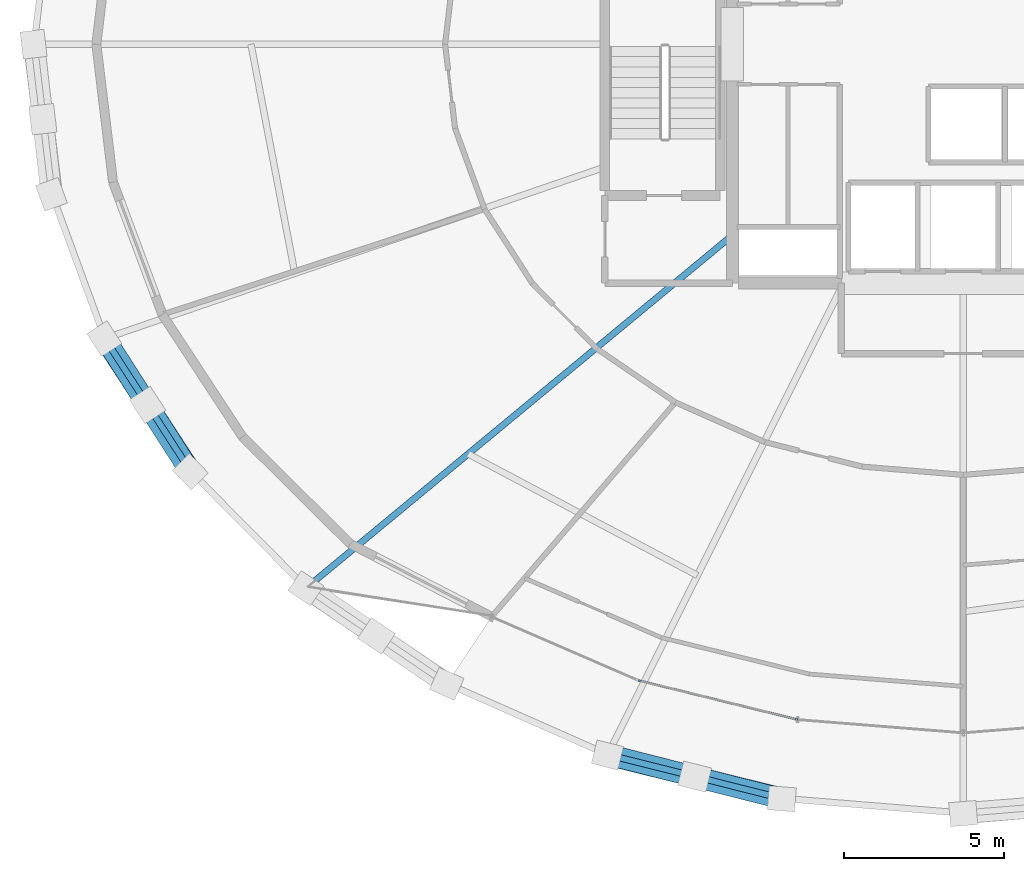
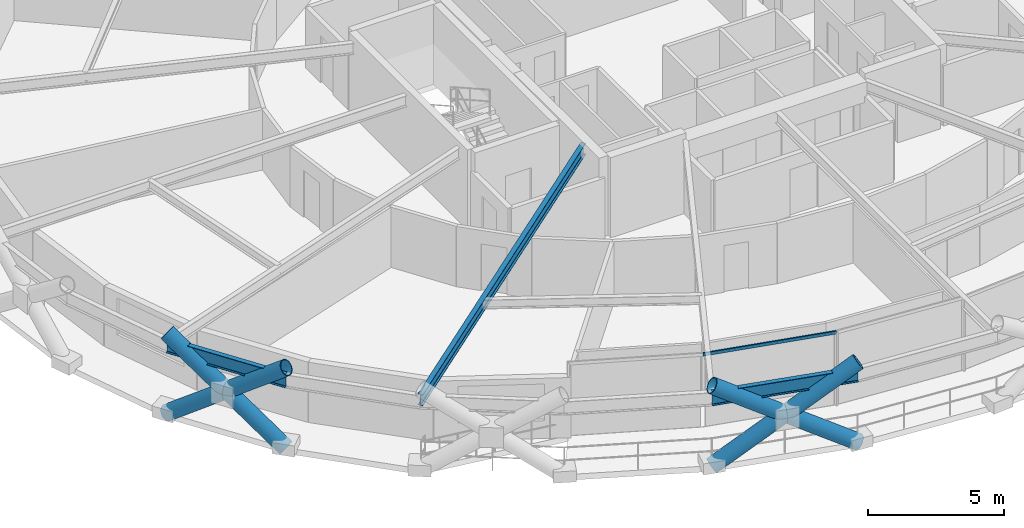
# One storey, part 2 of 22: 7 members, 3 beams, 1 element without a shape of its own.
"""IFC4 building model written with IfcOpenShell, lengths in metres."""

from ifc_helpers import new_model, si_unit, direction, frame, origin, origin_2d, place, context, subcontext, project, spatial, hollow_rectangle, hollow_circle, i_section, extrude, material, layer, layer_set, material_profile, profile_set, type_object, element, aggregate, save


model = new_model("IFC4")

# Units and contexts
model_context = context("Model", 3, precision=1e-05, world=origin(), true_north=direction((0.0, 1.0)))
body_context = subcontext(model_context, "Body", "Model", "MODEL_VIEW")
ifc_project = project(units=[si_unit("LENGTHUNIT", "METRE"), si_unit("AREAUNIT", "SQUARE_METRE"), si_unit("VOLUMEUNIT", "CUBIC_METRE"), si_unit("PLANEANGLEUNIT", "RADIAN"), si_unit("MASSUNIT", "GRAM", prefix="KILO")], contexts=[model_context])

# Site, building, storey
site_placement = place(None, origin())
site = spatial("IfcSite", under=ifc_project, at=site_placement, CompositionType="ELEMENT")
building_placement = place(site_placement, origin())
building = spatial("IfcBuilding", under=site, at=building_placement, Name="Veldorina Hangang Commons", CompositionType="ELEMENT")
storey_placement = place(building_placement, frame((0.0, 0.0, 80.800048828125)))
storey = spatial("IfcBuildingStorey", under=building, at=storey_placement, Name="L20", CompositionType="ELEMENT", Elevation=80.800048828125)

# Beams
ifc_material_1 = material(Name="Steel SM420-TMC", Category="steel")
ifc_material_profile_1 = material_profile(ifc_material_1, i_section(OverallWidth=0.199951171875, OverallDepth=0.5, WebThickness=0.010009765625, FlangeThickness=0.01611328125, FilletRadius=0.01611328125, at=origin_2d()), Name="H-500x200x10x16")
ifc_profile_set_1 = profile_set([ifc_material_profile_1], Name="Steel SM420-TMC")
beam_type_1 = type_object("IfcBeamType", Name="BM-FG500", PredefinedType="BEAM", material=ifc_profile_set_1)
beam_1_placement = place(storey_placement, frame((24.800048828125, 18.040771484375, 3.08984375), z_axis=(-0.770360053232, -0.637609118806, 0.0), x_axis=(0.637609118806, -0.770360053232, 0.0)))
element("IfcBeam", 1, at=beam_1_placement, inside=storey, type_object=beam_type_1, Name="L20 radial floor girder 11", PredefinedType="BEAM", context=body_context, shape_type="SweptSolid", body=[
    extrude(i_section(OverallWidth=0.199951171875, OverallDepth=0.5, WebThickness=0.010009765625, FlangeThickness=0.01611328125, FilletRadius=0.01611328125, at=origin_2d()), origin(), (0.0, 0.0, 1.0), 17.256103515625),
])
ifc_material_profile_2 = material_profile(ifc_material_1, i_section(OverallWidth=0.199951171875, OverallDepth=0.60009765625, WebThickness=0.010986328125, FlangeThickness=0.01708984375, FilletRadius=0.01806640625, at=origin_2d()), Name="H-600x200x11x17")
ifc_profile_set_2 = profile_set([ifc_material_profile_2], Name="Steel SM420-TMC")
beam_type_2 = type_object("IfcBeamType", Name="BM-RB600", PredefinedType="BEAM", material=ifc_profile_set_2)
beam_2_placement = place(storey_placement, frame((5.223876953125, 14.8203125, 3.0400390625), z_axis=(0.542498531233, -0.840056750232, 0.0), x_axis=(0.840056750232, 0.542498531233, 0.0)))
element("IfcBeam", 2, at=beam_2_placement, inside=storey, type_object=beam_type_2, Name="L20 perimeter hoop ring beam 18", PredefinedType="BEAM", context=body_context, shape_type="SweptSolid", body=[
    extrude(i_section(OverallWidth=0.199951171875, OverallDepth=0.60009765625, WebThickness=0.010986328125, FlangeThickness=0.01708984375, FilletRadius=0.01806640625, at=origin_2d()), origin(), (0.0, 0.0, 1.0), 4.936767578125),
])
beam_3_placement = place(storey_placement, frame((20.908935546875, 1.83837890625, 3.0400390625), z_axis=(0.96990120544, -0.243498771424, 0.0), x_axis=(0.243498771424, 0.96990120544, 0.0)))
element("IfcBeam", 3, at=beam_3_placement, inside=storey, type_object=beam_type_2, Name="L20 perimeter hoop ring beam 22", PredefinedType="BEAM", context=body_context, shape_type="SweptSolid", body=[
    extrude(i_section(OverallWidth=0.199951171875, OverallDepth=0.60009765625, WebThickness=0.010986328125, FlangeThickness=0.01708984375, FilletRadius=0.01806640625, at=origin_2d()), origin(), (0.0, 0.0, 1.0), 5.605712890625),
])

# Curtain wall, member
ifc_material_2 = material(Name="Glass Low-E Triple IGU", Category="glass")
ifc_layer = layer(ifc_material_2, 0.179931640625)
ifc_layer_set = layer_set([ifc_layer], Name="Glass Low-E Triple IGU")
curtain_wall_type = type_object("IfcCurtainWallType", Name="CW-SYS-Z1", PredefinedType="NOTDEFINED", material=ifc_layer_set)
curtain_wall_placement = place(storey_placement, origin())
curtain_wall = element("IfcCurtainWall", 4, at=curtain_wall_placement, inside=storey, type_object=curtain_wall_type, Name="L20 unitised curtain wall CW-L20-R1", PredefinedType="NOTDEFINED")
ifc_material_3 = material(Name="Aluminium Anodized AA6063-T6", Category="aluminium")
ifc_material_profile_3 = material_profile(ifc_material_3, hollow_rectangle(XDim=0.06005859375, YDim=0.139892578125, WallThickness=0.00341796875, at=origin_2d()), Name="ALU-RHS-140x60x3.5")
ifc_profile_set_3 = profile_set([ifc_material_profile_3], Name="Aluminium Anodized AA6063-T6")
member_type_1 = type_object("IfcMemberType", Name="CW-TRN-140", PredefinedType="USERDEFINED", material=ifc_profile_set_3)
member_1_placement = place(storey_placement, frame((21.866455078125, 4.155029296875, 3.260009765625), z_axis=(0.97103140573, -0.238951897011, 0.0), x_axis=(0.238951897011, 0.97103140573, 0.0)))
member_1 = element("IfcMember", 5, at=member_1_placement, type_object=member_type_1, Name="CW-L20-R1 facet 2 transom 1", ObjectType="TRANSOM", PredefinedType="USERDEFINED", context=body_context, shape_type="SweptSolid", body=[
    extrude(hollow_rectangle(XDim=0.06005859375, YDim=0.139892578125, WallThickness=0.00341796875, at=origin_2d()), origin(), (0.0, 0.0, 1.0), 5.11572265625),
])
aggregate(curtain_wall, [member_1])

# Members
ifc_material_4 = material(Name="Steel SM460-TMC", Category="steel")
ifc_material_profile_4 = material_profile(ifc_material_4, hollow_circle(Radius=0.324951171875, WallThickness=0.031982421875, at=origin_2d()), Name="CHS-650x32")
ifc_profile_set_4 = profile_set([ifc_material_profile_4], Name="Steel SM460-TMC")
member_type_2 = type_object("IfcMemberType", Name="DG-CHS650", PredefinedType="BRACE", material=ifc_profile_set_4)
member_2_placement = place(storey_placement, frame((5.20751953125, 14.815673828125, 0.0), z_axis=(0.441150326606, -0.677298320048, 0.588772770257), x_axis=(0.837930835163, 0.545776433609, 0.0)))
element("IfcMember", 6, at=member_2_placement, inside=storey, type_object=member_type_2, Name="L20 continuous perimeter diagrid brace 18", PredefinedType="BRACE", context=body_context, shape_type="SweptSolid", body=[
    extrude(hollow_circle(Radius=0.324951171875, WallThickness=0.031982421875, at=origin_2d()), origin(), (0.0, 0.0, 1.0), 6.1142578125),
])
member_3_placement = place(storey_placement, frame((7.887451171875, 10.666259765625, 0.0), z_axis=(-0.435650597399, 0.680289467082, 0.589419034273), x_axis=(-0.842122238199, -0.539286691779, 0.0)))
element("IfcMember", 7, at=member_3_placement, inside=storey, type_object=member_type_2, Name="L20 split perimeter diagrid lower brace 19", PredefinedType="BRACE", context=body_context, shape_type="SweptSolid", body=[
    extrude(hollow_circle(Radius=0.324951171875, WallThickness=0.031982421875, at=origin_2d()), origin(), (0.0, 0.0, 1.0), 3.0546875),
])
member_4_placement = place(storey_placement, frame((6.556640625, 12.744384765625, 1.800537109375), z_axis=(-0.435612602481, 0.680329797926, 0.589400565501), x_axis=(-0.842158115477, -0.539230663572, 0.0)))
element("IfcMember", 8, at=member_4_placement, inside=storey, type_object=member_type_2, Name="L20 split perimeter diagrid upper brace 19", PredefinedType="BRACE", context=body_context, shape_type="SweptSolid", body=[
    extrude(hollow_circle(Radius=0.324951171875, WallThickness=0.031982421875, at=origin_2d()), origin(), (0.0, 0.0, 1.0), 3.052734375),
])
member_5_placement = place(storey_placement, frame((20.902099609375, 1.826904296875, 0.0), z_axis=(0.816821732886, -0.202740282131, 0.540091320691), x_axis=(0.240896786714, 0.970550739607, 0.0)))
element("IfcMember", 9, at=member_5_placement, inside=storey, type_object=member_type_2, Name="L20 continuous perimeter diagrid brace 22", PredefinedType="BRACE", context=body_context, shape_type="SweptSolid", body=[
    extrude(hollow_circle(Radius=0.324951171875, WallThickness=0.031982421875, at=origin_2d()), origin(), (0.0, 0.0, 1.0), 6.665283203125),
])
member_6_placement = place(storey_placement, frame((26.34228515625, 0.461181640625, 0.0), z_axis=(-0.815522808728, 0.207013382573, 0.540433166895), x_axis=(-0.246038262979, -0.969260116352, 0.0)))
element("IfcMember", 10, at=member_6_placement, inside=storey, type_object=member_type_2, Name="L20 split perimeter diagrid lower brace 23", PredefinedType="BRACE", context=body_context, shape_type="SweptSolid", body=[
    extrude(hollow_circle(Radius=0.324951171875, WallThickness=0.031982421875, at=origin_2d()), origin(), (0.0, 0.0, 1.0), 3.33154296875),
])
member_7_placement = place(storey_placement, frame((23.625244140625, 1.15087890625, 1.800537109375), z_axis=(-0.81548791761, 0.207153436494, 0.540432151136), x_axis=(-0.246204528084, -0.969217896219, 0.0)))
element("IfcMember", 11, at=member_7_placement, inside=storey, type_object=member_type_2, Name="L20 split perimeter diagrid upper brace 23", PredefinedType="BRACE", context=body_context, shape_type="SweptSolid", body=[
    extrude(hollow_circle(Radius=0.324951171875, WallThickness=0.031982421875, at=origin_2d()), origin(), (0.0, 0.0, 1.0), 3.329345703125),
])

save(model, "model.ifc")
